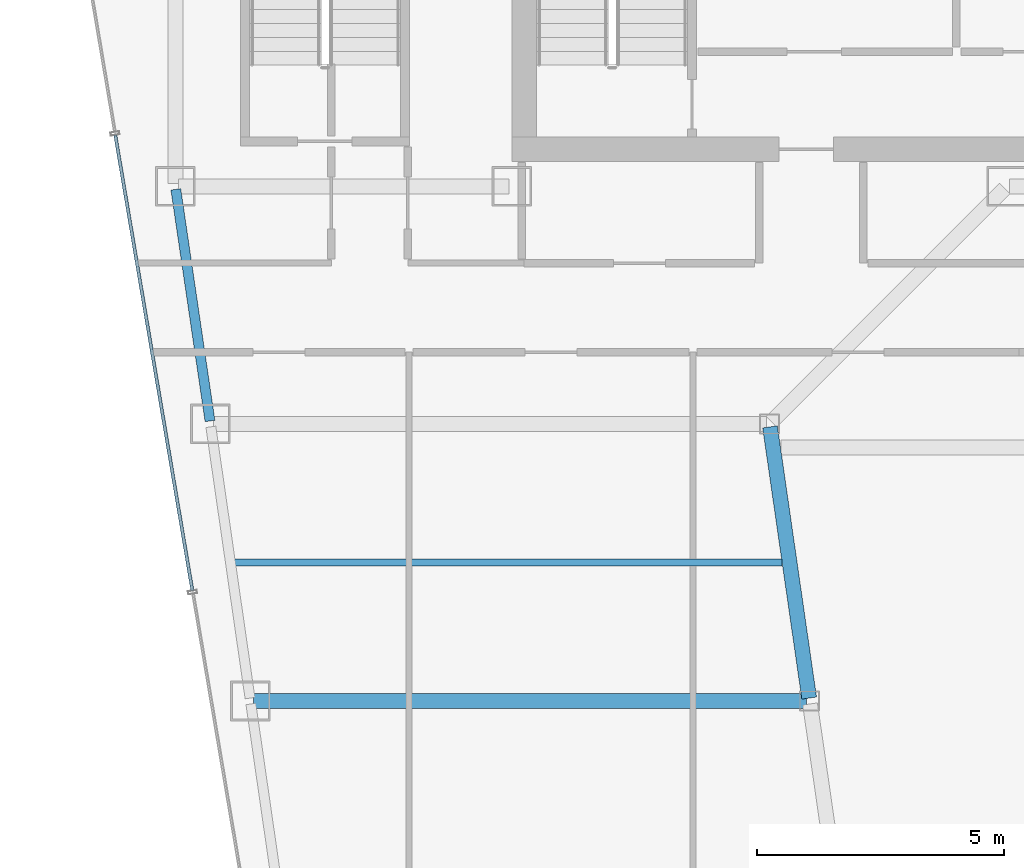
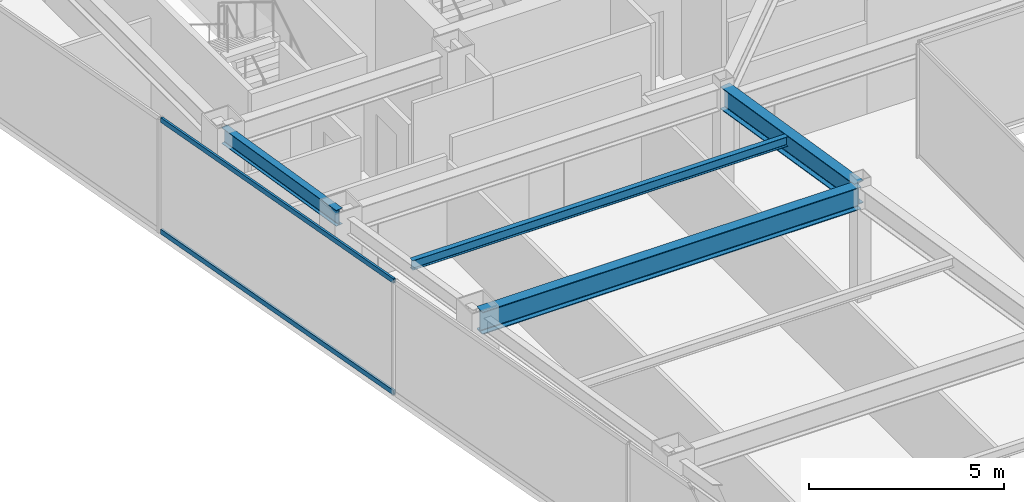
# One storey, part 10 of 36: 4 beams, 2 members, 1 element without a shape of its own.
"""IFC4 building model written with IfcOpenShell, lengths in metres."""

from ifc_helpers import new_model, si_unit, direction, frame, origin, origin_2d, place, context, subcontext, project, spatial, hollow_rectangle, i_section, extrude, material, material_profile, profile_set, type_object, element, aggregate, save


model = new_model("IFC4")

# Units and contexts
model_context = context("Model", 3, precision=1e-05, world=origin(), true_north=direction((0.0, 1.0)))
body_context = subcontext(model_context, "Body", "Model", "MODEL_VIEW")
ifc_project = project(units=[si_unit("LENGTHUNIT", "METRE"), si_unit("AREAUNIT", "SQUARE_METRE"), si_unit("VOLUMEUNIT", "CUBIC_METRE"), si_unit("PLANEANGLEUNIT", "RADIAN"), si_unit("MASSUNIT", "GRAM", prefix="KILO")], contexts=[model_context])

# Site, building, storey
site_placement = place(None, origin())
site = spatial("IfcSite", under=ifc_project, at=site_placement, CompositionType="ELEMENT")
building_placement = place(site_placement, origin())
building = spatial("IfcBuilding", under=site, at=building_placement, Name="Saevonmaru Cultural Tower", CompositionType="ELEMENT")
storey_placement = place(building_placement, frame((0.0, 0.0, 201.800048828125)))
storey = spatial("IfcBuildingStorey", under=building, at=storey_placement, Name="L46", CompositionType="ELEMENT", Elevation=201.800048828125)

# Beams
ifc_material_1 = material(Name="Steel SM355", Category="steel")
ifc_material_profile_1 = material_profile(ifc_material_1, i_section(OverallWidth=0.300048828125, OverallDepth=0.699951171875, WebThickness=0.012939453125, FlangeThickness=0.02392578125, FilletRadius=0.02587890625, at=origin_2d()), Name="H-700x300x13x24")
ifc_profile_set_1 = profile_set([ifc_material_profile_1], Name="Steel SM355")
beam_type_1 = type_object("IfcBeamType", Name="BM-G-H700", PredefinedType="BEAM", material=ifc_profile_set_1)
beam_1_placement = place(storey_placement, frame((19.6083984375, 32.059326171875, 3.199951171875), z_axis=(-0.142964121327, 0.989727871697, 0.0), x_axis=(-0.989727871697, -0.142964121327, 0.0)))
element("IfcBeam", 1, at=beam_1_placement, inside=storey, type_object=beam_type_1, Name="L46 West Atrium Girder 3", PredefinedType="BEAM", context=body_context, shape_type="SweptSolid", body=[
    extrude(i_section(OverallWidth=0.300048828125, OverallDepth=0.699951171875, WebThickness=0.012939453125, FlangeThickness=0.02392578125, FilletRadius=0.02587890625, at=origin_2d()), origin(), (0.0, 0.0, 1.0), 5.5380859375),
])
beam_2_placement = place(storey_placement, frame((8.376953125, 32.0, 3.199951171875), z_axis=(1.0, 0.0, 0.0), x_axis=(0.0, 1.0, 0.0)))
element("IfcBeam", 2, at=beam_2_placement, inside=storey, type_object=beam_type_1, Name="L46 West Wing Transverse Girder 3", PredefinedType="BEAM", context=body_context, shape_type="SweptSolid", body=[
    extrude(i_section(OverallWidth=0.300048828125, OverallDepth=0.699951171875, WebThickness=0.012939453125, FlangeThickness=0.02392578125, FilletRadius=0.02587890625, at=origin_2d()), origin(), (0.0, 0.0, 1.0), 11.179931640625),
])
ifc_material_profile_2 = material_profile(ifc_material_1, i_section(OverallWidth=0.14990234375, OverallDepth=0.300048828125, WebThickness=0.006591796875, FlangeThickness=0.009033203125, FilletRadius=0.012939453125, at=origin_2d()), Name="H-300x150x6.5x9")
ifc_profile_set_2 = profile_set([ifc_material_profile_2], Name="Steel SM355")
beam_type_2 = type_object("IfcBeamType", Name="BM-J-H300", PredefinedType="JOIST", material=ifc_profile_set_2)
beam_3_placement = place(storey_placement, frame((7.972412109375, 34.800048828125, 3.39990234375), z_axis=(1.0, 0.0, 0.0), x_axis=(0.0, 1.0, 0.0)))
element("IfcBeam", 3, at=beam_3_placement, inside=storey, type_object=beam_type_2, Name="L46 West Wing Floor Joist 3", PredefinedType="JOIST", context=body_context, shape_type="SweptSolid", body=[
    extrude(i_section(OverallWidth=0.14990234375, OverallDepth=0.300048828125, WebThickness=0.006591796875, FlangeThickness=0.009033203125, FilletRadius=0.012939453125, at=origin_2d()), origin(), (0.0, 0.0, 1.0), 11.08203125),
])
ifc_material_profile_3 = material_profile(ifc_material_1, i_section(OverallWidth=0.199951171875, OverallDepth=0.5, WebThickness=0.010009765625, FlangeThickness=0.01611328125, FilletRadius=0.02001953125, at=origin_2d()), Name="H-500x200x10x16")
ifc_profile_set_3 = profile_set([ifc_material_profile_3], Name="Steel SM355")
beam_type_3 = type_object("IfcBeamType", Name="BM-SP-H500", PredefinedType="SPANDREL", material=ifc_profile_set_3)
beam_4_placement = place(storey_placement, frame((7.499267578125, 37.659423828125, 3.300048828125), z_axis=(-0.145912860028, 0.989297446312, 0.0), x_axis=(-0.989297446312, -0.145912860028, 0.0)))
element("IfcBeam", 4, at=beam_4_placement, inside=storey, type_object=beam_type_3, Name="L46 West Splayed Spandrel 4", PredefinedType="SPANDREL", context=body_context, shape_type="SweptSolid", body=[
    extrude(i_section(OverallWidth=0.199951171875, OverallDepth=0.5, WebThickness=0.010009765625, FlangeThickness=0.01611328125, FilletRadius=0.02001953125, at=origin_2d()), origin(), (0.0, 0.0, 1.0), 4.731689453125),
])

# Curtain wall, members
ifc_material_2 = material(Name="Satin Bronze Anodised Aluminium", Category="aluminium")
curtain_wall_type = type_object("IfcCurtainWallType", Name="CW-TYP-B", PredefinedType="NOTDEFINED", material=ifc_material_2)
curtain_wall_placement = place(storey_placement, origin())
curtain_wall = element("IfcCurtainWall", 5, at=curtain_wall_placement, inside=storey, type_object=curtain_wall_type, Name="L46 Unitised Curtain Wall E12", PredefinedType="NOTDEFINED")
ifc_material_profile_4 = material_profile(ifc_material_2, hollow_rectangle(XDim=0.06494140625, YDim=0.14990234375, WallThickness=0.00390625, at=origin_2d()), Name="ALU-TRAN-150x65x4")
ifc_profile_set_4 = profile_set([ifc_material_profile_4], Name="Satin Bronze Anodised Aluminium")
member_type = type_object("IfcMemberType", Name="TR-CW-150x65", PredefinedType="USERDEFINED", material=ifc_profile_set_4)
member_1_placement = place(storey_placement, frame((5.5849609375, 43.4384765625, 0.032470703125), z_axis=(0.166916960754, -0.985970957084, 0.0), x_axis=(0.985970957084, 0.166916960754, 0.0)))
member_1 = element("IfcMember", 6, at=member_1_placement, type_object=member_type, Name="CW-TW-L46-E12 transom 2.1", ObjectType="TRANSOM", PredefinedType="USERDEFINED", context=body_context, shape_type="SweptSolid", body=[
    extrude(hollow_rectangle(XDim=0.06494140625, YDim=0.14990234375, WallThickness=0.00390625, at=origin_2d()), origin(), (0.0, 0.0, 1.0), 9.337646484375),
])
member_2_placement = place(storey_placement, frame((5.5849609375, 43.4384765625, 3.517333984375), z_axis=(0.166916960754, -0.985970957084, 0.0), x_axis=(0.985970957084, 0.166916960754, 0.0)))
member_2 = element("IfcMember", 7, at=member_2_placement, type_object=member_type, Name="CW-TW-L46-E12 transom 2.2", ObjectType="TRANSOM", PredefinedType="USERDEFINED", context=body_context, shape_type="SweptSolid", body=[
    extrude(hollow_rectangle(XDim=0.06494140625, YDim=0.14990234375, WallThickness=0.00390625, at=origin_2d()), origin(), (0.0, 0.0, 1.0), 9.337646484375),
])
aggregate(curtain_wall, [member_1, member_2])

save(model, "model.ifc")
